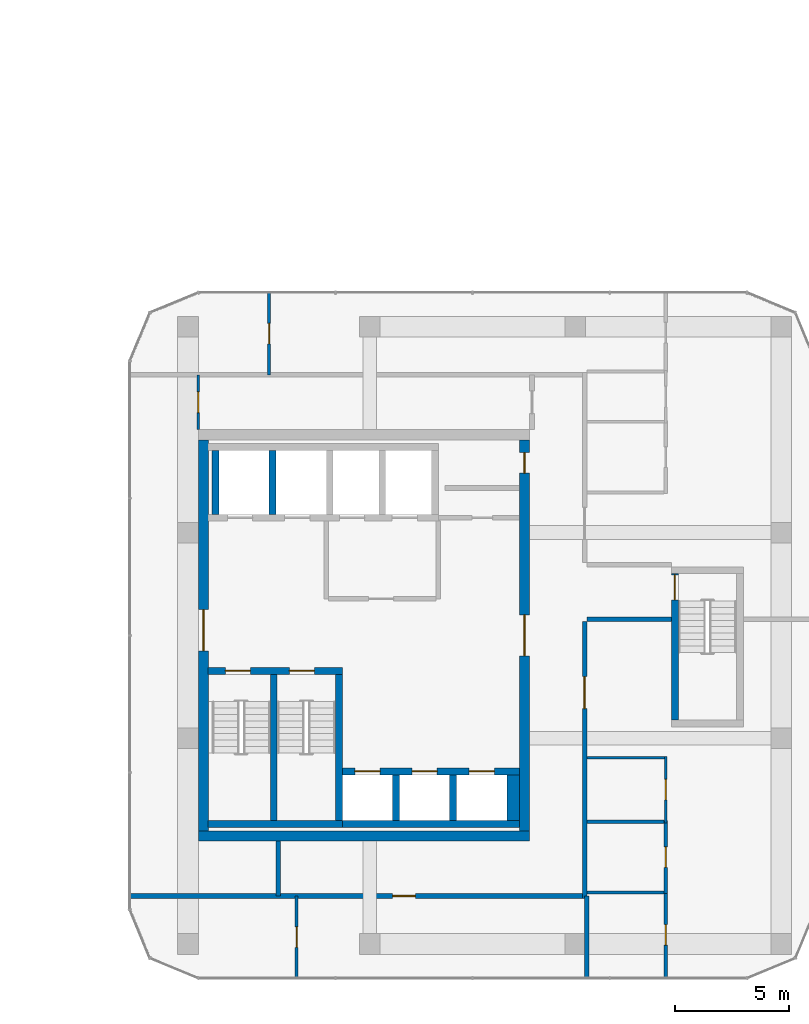
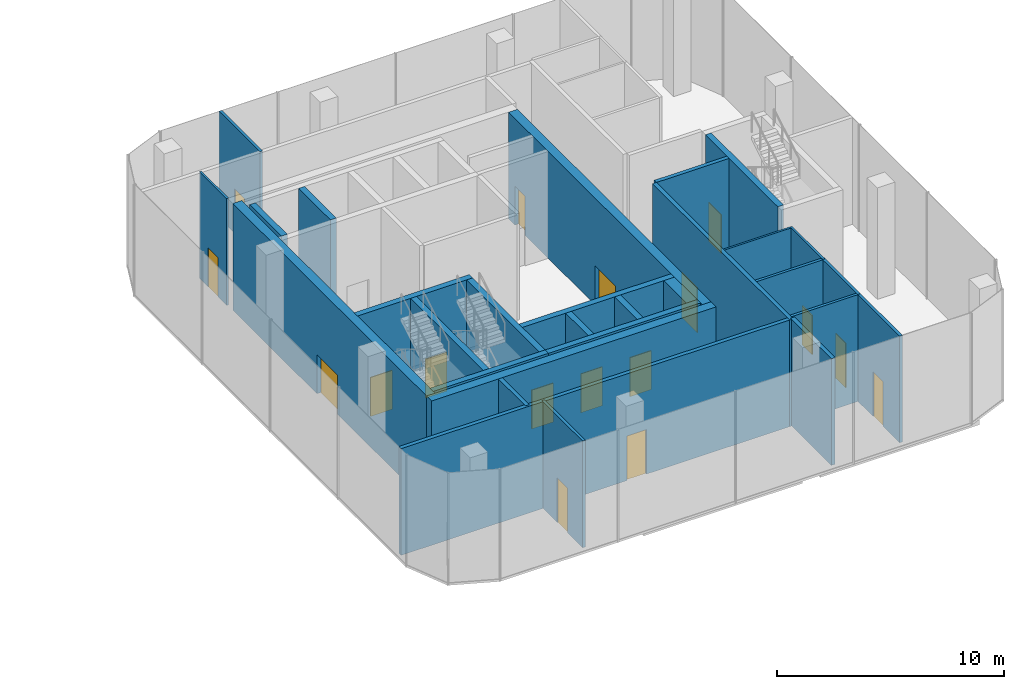
# One storey, part 17 of 24: 29 walls, 17 doors, 17 openings.
"""IFC4 building model written with IfcOpenShell, lengths in metres."""

from ifc_helpers import new_model, si_unit, direction, frame, frame_2d, origin, place, context, subcontext, project, spatial, rectangle, extrude, material, layer, layer_set, type_object, element, fill, save


model = new_model("IFC4")

# Units and contexts
model_context = context("Model", 3, precision=1e-05, world=origin(), true_north=direction((0.0, 1.0)))
body_context = subcontext(model_context, "Body", "Model", "MODEL_VIEW")
ifc_project = project(units=[si_unit("LENGTHUNIT", "METRE"), si_unit("AREAUNIT", "SQUARE_METRE"), si_unit("VOLUMEUNIT", "CUBIC_METRE"), si_unit("PLANEANGLEUNIT", "RADIAN"), si_unit("MASSUNIT", "GRAM", prefix="KILO")], contexts=[model_context])

# Site, building, storey
site_placement = place(None, origin())
site = spatial("IfcSite", under=ifc_project, at=site_placement, CompositionType="ELEMENT")
building_placement = place(site_placement, origin())
building = spatial("IfcBuilding", under=site, at=building_placement, Name="Plateau Cross Towers", CompositionType="ELEMENT")
storey_placement = place(building_placement, frame((0.0, 0.0, 72.300048828125)))
storey = spatial("IfcBuildingStorey", under=building, at=storey_placement, Name="L18", CompositionType="ELEMENT", Elevation=72.300048828125)

# Wall
ifc_material_1 = material(Name="Concrete C60/75", Category="concrete")
ifc_layer_1 = layer(ifc_material_1, 0.300048828125)
ifc_layer_set_1 = layer_set([ifc_layer_1], Name="Concrete C60/75")
wall_type_1 = type_object("IfcWallType", Name="Core shaft wall 300", PredefinedType="SHEAR", material=ifc_layer_set_1)
wall_1_placement = place(storey_placement, frame((75.429931640625, 0.75, 0.0), z_axis=(0.0, 0.0, 1.0), x_axis=(1.0, 0.0, 0.0)))
element("IfcWall", 1, at=wall_1_placement, inside=storey, type_object=wall_type_1, Name="B-sb-stS@L18", PredefinedType="SHEAR", context=body_context, shape_type="SweptSolid", body=[
    extrude(rectangle(XDim=5.8701171875, YDim=0.300048828125, at=frame_2d((2.93505859375, 0.0))), origin(), (0.0, 0.0, 1.0), 5.75),
])

# Wall, openings, doors
wall_2_placement = place(storey_placement, frame((75.429931640625, 7.449951171875, 0.0), z_axis=(0.0, 0.0, 1.0), x_axis=(1.0, 0.0, 0.0)))
wall_2 = element("IfcWall", 2, at=wall_2_placement, inside=storey, type_object=wall_type_1, Name="B-sb-stN@L18", PredefinedType="SHEAR", context=body_context, shape_type="SweptSolid", body=[
    extrude(rectangle(XDim=5.8701171875, YDim=0.300048828125, at=frame_2d((2.93505859375, 0.0))), origin(), (0.0, 0.0, 1.0), 5.75),
])
opening_1_placement = place(wall_2_placement, frame((0.75, 0.0, 0.0)))
opening_1 = element("IfcOpeningElement", 3, at=opening_1_placement, cuts=wall_2, Name="Opening SD", PredefinedType="OPENING", context=body_context, shape_type="SweptSolid", body=[
    extrude(rectangle(XDim=1.10009765625, YDim=2.10009765625, at=frame_2d((0.550048828125, 1.050048828125))), frame((0.0, 0.159912109375, 0.0), z_axis=(0.0, -1.0, 0.0), x_axis=(1.0, 0.0, 0.0)), (0.0, 0.0, 1.0), 0.320068359375),
])
opening_2_placement = place(wall_2_placement, frame((3.550048828125, 0.0, 0.0)))
opening_2 = element("IfcOpeningElement", 4, at=opening_2_placement, cuts=wall_2, Name="Opening SD", PredefinedType="OPENING", context=body_context, shape_type="SweptSolid", body=[
    extrude(rectangle(XDim=1.10009765625, YDim=2.10009765625, at=frame_2d((0.550048828125, 1.050048828125))), frame((0.0, 0.159912109375, 0.0), z_axis=(0.0, -1.0, 0.0), x_axis=(1.0, 0.0, 0.0)), (0.0, 0.0, 1.0), 0.320068359375),
])
ifc_material_2 = material(Name="Steel, fire-resisting leaf", Category="steel")
door_type_1 = type_object("IfcDoorType", Name="Stair door 1100", OperationType="NOTDEFINED", PredefinedType="DOOR", material=ifc_material_2)
door_1_placement = place(opening_1_placement, origin())
door_1 = element("IfcDoor", 5, at=door_1_placement, inside=storey, type_object=door_type_1, Name="Stair door SD", OperationType="SINGLE_SWING_RIGHT", OverallHeight=2.10009765625, OverallWidth=1.10009765625, PredefinedType="DOOR", context=body_context, shape_type="SweptSolid", body=[
    extrude(rectangle(XDim=1.10009765625, YDim=2.10009765625, at=frame_2d((0.550048828125, 1.050048828125))), frame((0.0, 0.02490234375, 0.0), z_axis=(0.0, -1.0, 0.0), x_axis=(1.0, 0.0, 0.0)), (0.0, 0.0, 1.0), 0.050048828125),
])
fill(opening_1, door_1)
door_2_placement = place(opening_2_placement, origin())
door_2 = element("IfcDoor", 6, at=door_2_placement, inside=storey, type_object=door_type_1, Name="Stair door SD", OperationType="SINGLE_SWING_LEFT", OverallHeight=2.10009765625, OverallWidth=1.10009765625, PredefinedType="DOOR", context=body_context, shape_type="SweptSolid", body=[
    extrude(rectangle(XDim=1.10009765625, YDim=2.10009765625, at=frame_2d((0.550048828125, 1.050048828125))), frame((0.0, 0.02490234375, 0.0), z_axis=(0.0, -1.0, 0.0), x_axis=(1.0, 0.0, 0.0)), (0.0, 0.0, 1.0), 0.050048828125),
])
fill(opening_2, door_2)

# Walls
for number, where, z_axis, x_axis, name in (
    (7, (78.300048828125, 0.89990234375, 0.0), (0.0, 0.0, 1.0), (0.0, 1.0, 0.0), "B-sb-st1@L18"),
    (8, (81.14990234375, 0.89990234375, 0.0), (0.0, 0.0, 1.0), (0.0, 1.0, 0.0), "B-sb-st2@L18"),
):
    element("IfcWall", number, at=place(storey_placement, frame(where, z_axis=z_axis, x_axis=x_axis)), inside=storey, type_object=wall_type_1, Name=name, PredefinedType="SHEAR", context=body_context, shape_type="SweptSolid", body=[
        extrude(rectangle(XDim=6.400146484375, YDim=0.300048828125, at=frame_2d((3.2001953125, 0.0))), origin(), (0.0, 0.0, 1.0), 5.75),
    ])
wall_3_placement = place(storey_placement, frame((81.300048828125, 0.75, 0.0), z_axis=(0.0, 0.0, 1.0), x_axis=(1.0, 0.0, 0.0)))
element("IfcWall", 9, at=wall_3_placement, inside=storey, type_object=wall_type_1, Name="B-sb-back@L18", PredefinedType="SHEAR", context=body_context, shape_type="SweptSolid", body=[
    extrude(rectangle(XDim=7.75, YDim=0.300048828125, at=frame_2d((3.875, 0.0))), origin(), (0.0, 0.0, 1.0), 5.75),
])
for number, where, z_axis, x_axis, name in (
    (10, (83.64990234375, 0.89990234375, 0.0), (0.0, 0.0, 1.0), (0.0, 1.0, 0.0), "B-sb-v1@L18"),
    (11, (86.14990234375, 0.89990234375, 0.0), (0.0, 0.0, 1.0), (0.0, 1.0, 0.0), "B-sb-v2@L18"),
):
    element("IfcWall", number, at=place(storey_placement, frame(where, z_axis=z_axis, x_axis=x_axis)), inside=storey, type_object=wall_type_1, Name=name, PredefinedType="SHEAR", context=body_context, shape_type="SweptSolid", body=[
        extrude(rectangle(XDim=2.0, YDim=0.300048828125, at=frame_2d((1.0, 0.0))), origin(), (0.0, 0.0, 1.0), 5.75),
    ])

# Wall, openings, doors
wall_4_placement = place(storey_placement, frame((81.300048828125, 3.050048828125, 0.0), z_axis=(0.0, 0.0, 1.0), x_axis=(1.0, 0.0, 0.0)))
wall_4 = element("IfcWall", 12, at=wall_4_placement, inside=storey, type_object=wall_type_1, Name="B-sb-front@L18", PredefinedType="SHEAR", context=body_context, shape_type="SweptSolid", body=[
    extrude(rectangle(XDim=7.75, YDim=0.300048828125, at=frame_2d((3.875, 0.0))), origin(), (0.0, 0.0, 1.0), 5.75),
])
opening_3_placement = place(wall_4_placement, frame((0.550048828125, 0.0, 0.0)))
opening_3 = element("IfcOpeningElement", 13, at=opening_3_placement, cuts=wall_4, Name="Opening LD", PredefinedType="OPENING", context=body_context, shape_type="SweptSolid", body=[
    extrude(rectangle(XDim=1.10009765625, YDim=2.10009765625, at=frame_2d((0.550048828125, 1.050048828125))), frame((0.0, 0.159912109375, 0.0), z_axis=(0.0, -1.0, 0.0), x_axis=(1.0, 0.0, 0.0)), (0.0, 0.0, 1.0), 0.320068359375),
])
opening_4_placement = place(wall_4_placement, frame((3.050048828125, 0.0, 0.0)))
opening_4 = element("IfcOpeningElement", 14, at=opening_4_placement, cuts=wall_4, Name="Opening LD", PredefinedType="OPENING", context=body_context, shape_type="SweptSolid", body=[
    extrude(rectangle(XDim=1.10009765625, YDim=2.10009765625, at=frame_2d((0.550048828125, 1.050048828125))), frame((0.0, 0.159912109375, 0.0), z_axis=(0.0, -1.0, 0.0), x_axis=(1.0, 0.0, 0.0)), (0.0, 0.0, 1.0), 0.320068359375),
])
opening_5_placement = place(wall_4_placement, frame((5.550048828125, 0.0, 0.0)))
opening_5 = element("IfcOpeningElement", 15, at=opening_5_placement, cuts=wall_4, Name="Opening LD", PredefinedType="OPENING", context=body_context, shape_type="SweptSolid", body=[
    extrude(rectangle(XDim=1.10009765625, YDim=2.10009765625, at=frame_2d((0.550048828125, 1.050048828125))), frame((0.0, 0.159912109375, 0.0), z_axis=(0.0, -1.0, 0.0), x_axis=(1.0, 0.0, 0.0)), (0.0, 0.0, 1.0), 0.320068359375),
])
ifc_material_3 = material(Name="Stainless steel, fire-resisting sliding leaves", Category="steel")
door_type_2 = type_object("IfcDoorType", Name="Lift landing door 1100", OperationType="NOTDEFINED", PredefinedType="DOOR", material=ifc_material_3)
door_3_placement = place(opening_3_placement, origin())
door_3 = element("IfcDoor", 16, at=door_3_placement, inside=storey, type_object=door_type_2, Name="Lift landing door LD", OperationType="DOUBLE_DOOR_SLIDING", OverallHeight=2.10009765625, OverallWidth=1.10009765625, PredefinedType="DOOR", context=body_context, shape_type="SweptSolid", body=[
    extrude(rectangle(XDim=1.10009765625, YDim=2.10009765625, at=frame_2d((0.550048828125, 1.050048828125))), frame((0.0, 0.02490234375, 0.0), z_axis=(0.0, -1.0, 0.0), x_axis=(1.0, 0.0, 0.0)), (0.0, 0.0, 1.0), 0.050048828125),
])
fill(opening_3, door_3)
door_4_placement = place(opening_4_placement, origin())
door_4 = element("IfcDoor", 17, at=door_4_placement, inside=storey, type_object=door_type_2, Name="Lift landing door LD", OperationType="DOUBLE_DOOR_SLIDING", OverallHeight=2.10009765625, OverallWidth=1.10009765625, PredefinedType="DOOR", context=body_context, shape_type="SweptSolid", body=[
    extrude(rectangle(XDim=1.10009765625, YDim=2.10009765625, at=frame_2d((0.550048828125, 1.050048828125))), frame((0.0, 0.02490234375, 0.0), z_axis=(0.0, -1.0, 0.0), x_axis=(1.0, 0.0, 0.0)), (0.0, 0.0, 1.0), 0.050048828125),
])
fill(opening_4, door_4)
door_5_placement = place(opening_5_placement, origin())
door_5 = element("IfcDoor", 18, at=door_5_placement, inside=storey, type_object=door_type_2, Name="Lift landing door LD", OperationType="DOUBLE_DOOR_SLIDING", OverallHeight=2.10009765625, OverallWidth=1.10009765625, PredefinedType="DOOR", context=body_context, shape_type="SweptSolid", body=[
    extrude(rectangle(XDim=1.10009765625, YDim=2.10009765625, at=frame_2d((0.550048828125, 1.050048828125))), frame((0.0, 0.02490234375, 0.0), z_axis=(0.0, -1.0, 0.0), x_axis=(1.0, 0.0, 0.0)), (0.0, 0.0, 1.0), 0.050048828125),
])
fill(opening_5, door_5)

# Walls
for number, where, z_axis, x_axis, name in (
    (19, (75.75, 14.300048828125, 0.0), (0.0, 0.0, 1.0), (0.0, 1.0, 0.0), "B-nb-v0@L18"),
    (20, (78.25, 14.300048828125, 0.0), (0.0, 0.0, 1.0), (0.0, 1.0, 0.0), "B-nb-v1@L18"),
):
    element("IfcWall", number, at=place(storey_placement, frame(where, z_axis=z_axis, x_axis=x_axis)), inside=storey, type_object=wall_type_1, Name=name, PredefinedType="SHEAR", context=body_context, shape_type="SweptSolid", body=[
        extrude(rectangle(XDim=2.800048828125, YDim=0.300048828125, at=frame_2d((1.39990234375, 0.0))), origin(), (0.0, 0.0, 1.0), 5.75),
    ])

# Wall, opening, door
wall_5_placement = place(storey_placement, frame((95.85009765625, 5.300048828125, 0.0), z_axis=(0.0, 0.0, 1.0), x_axis=(0.0, 1.0, 0.0)))
wall_5 = element("IfcWall", 21, at=wall_5_placement, inside=storey, type_object=wall_type_1, Name="B-sb3-W@L18", PredefinedType="SHEAR", context=body_context, shape_type="SweptSolid", body=[
    extrude(rectangle(XDim=6.39990234375, YDim=0.300048828125, at=frame_2d((3.199951171875, 0.0))), origin(), (0.0, 0.0, 1.0), 5.75),
])
opening_6_placement = place(wall_5_placement, frame((5.25, 0.0, 0.0)))
opening_6 = element("IfcOpeningElement", 22, at=opening_6_placement, cuts=wall_5, Name="Opening SD", PredefinedType="OPENING", context=body_context, shape_type="SweptSolid", body=[
    extrude(rectangle(XDim=1.10009765625, YDim=2.10009765625, at=frame_2d((0.550048828125, 1.050048828125))), frame((0.0, 0.159912109375, 0.0), z_axis=(0.0, -1.0, 0.0), x_axis=(1.0, 0.0, 0.0)), (0.0, 0.0, 1.0), 0.320068359375),
])
door_6_placement = place(opening_6_placement, origin())
door_6 = element("IfcDoor", 23, at=door_6_placement, inside=storey, type_object=door_type_1, Name="Stair door SD", OperationType="SINGLE_SWING_LEFT", OverallHeight=2.10009765625, OverallWidth=1.10009765625, PredefinedType="DOOR", context=body_context, shape_type="SweptSolid", body=[
    extrude(rectangle(XDim=1.10009765625, YDim=2.10009765625, at=frame_2d((0.550048828125, 1.050048828125))), frame((0.0, 0.02490234375, 0.0), z_axis=(0.0, -1.0, 0.0), x_axis=(1.0, 0.0, 0.0)), (0.0, 0.0, 1.0), 0.050048828125),
])
fill(opening_6, door_6)

# Walls
ifc_layer_2 = layer(ifc_material_1, 0.550048828125)
ifc_layer_set_2 = layer_set([ifc_layer_2], Name="Concrete C60/75")
wall_type_2 = type_object("IfcWallType", Name="Core shaft wall 550", PredefinedType="SHEAR", material=ifc_layer_set_2)
wall_6_placement = place(storey_placement, frame((88.77490234375, 0.89990234375, 0.0), z_axis=(0.0, 0.0, 1.0), x_axis=(0.0, 1.0, 0.0)))
element("IfcWall", 24, at=wall_6_placement, inside=storey, type_object=wall_type_2, Name="B-sb-v3@L18", PredefinedType="SHEAR", context=body_context, shape_type="SweptSolid", body=[
    extrude(rectangle(XDim=2.0, YDim=0.550048828125, at=frame_2d((1.0, 0.0))), origin(), (0.0, 0.0, 1.0), 5.75),
])
ifc_layer_3 = layer(ifc_material_1, 0.449951171875)
ifc_layer_set_3 = layer_set([ifc_layer_3], Name="Concrete C60/75")
wall_type_3 = type_object("IfcWallType", Name="Core shell wall 450", PredefinedType="SHEAR", material=ifc_layer_set_3)
wall_7_placement = place(storey_placement, frame((75.0, 0.22509765625, 0.0), z_axis=(0.0, 0.0, 1.0), x_axis=(1.0, 0.0, 0.0)))
element("IfcWall", 25, at=wall_7_placement, inside=storey, type_object=wall_type_3, Name="B-core-S@L18", PredefinedType="SHEAR", context=body_context, shape_type="SweptSolid", body=[
    extrude(rectangle(XDim=14.5, YDim=0.449951171875, at=frame_2d((7.25, 0.0))), origin(), (0.0, 0.0, 1.0), 5.75),
])

# Wall, opening, door
wall_8_placement = place(storey_placement, frame((75.22509765625, 0.449951171875, 0.0), z_axis=(0.0, 0.0, 1.0), x_axis=(0.0, 1.0, 0.0)))
wall_8 = element("IfcWall", 26, at=wall_8_placement, inside=storey, type_object=wall_type_3, Name="B-core-W@L18", PredefinedType="SHEAR", context=body_context, shape_type="SweptSolid", body=[
    extrude(rectangle(XDim=17.10009765625, YDim=0.449951171875, at=frame_2d((8.550048828125, 0.0))), origin(), (0.0, 0.0, 1.0), 5.75),
])
opening_7_placement = place(wall_8_placement, frame((7.875, 0.0, 0.0)))
opening_7 = element("IfcOpeningElement", 27, at=opening_7_placement, cuts=wall_8, Name="Opening CD", PredefinedType="OPENING", context=body_context, shape_type="SweptSolid", body=[
    extrude(rectangle(XDim=1.800048828125, YDim=2.10009765625, at=frame_2d((0.89990234375, 1.050048828125))), frame((0.0, 0.23486328125, 0.0), z_axis=(0.0, -1.0, 0.0), x_axis=(1.0, 0.0, 0.0)), (0.0, 0.0, 1.0), 0.469970703125),
])
ifc_material_4 = material(Name="Steel, fire-resisting leaves", Category="steel")
door_type_3 = type_object("IfcDoorType", Name="Corridor door pair 1800", OperationType="NOTDEFINED", PredefinedType="DOOR", material=ifc_material_4)
door_7_placement = place(opening_7_placement, origin())
door_7 = element("IfcDoor", 28, at=door_7_placement, inside=storey, type_object=door_type_3, Name="Corridor door pair CD", OperationType="DOUBLE_DOOR_SINGLE_SWING", OverallHeight=2.10009765625, OverallWidth=1.800048828125, PredefinedType="DOOR", context=body_context, shape_type="SweptSolid", body=[
    extrude(rectangle(XDim=1.800048828125, YDim=2.10009765625, at=frame_2d((0.89990234375, 1.050048828125))), frame((0.0, 0.02490234375, 0.0), z_axis=(0.0, -1.0, 0.0), x_axis=(1.0, 0.0, 0.0)), (0.0, 0.0, 1.0), 0.050048828125),
])
fill(opening_7, door_7)

# Wall, openings, doors
wall_9_placement = place(storey_placement, frame((89.27490234375, 0.449951171875, 0.0), z_axis=(0.0, 0.0, 1.0), x_axis=(0.0, 1.0, 0.0)))
wall_9 = element("IfcWall", 29, at=wall_9_placement, inside=storey, type_object=wall_type_3, Name="B-core-E@L18", PredefinedType="SHEAR", context=body_context, shape_type="SweptSolid", body=[
    extrude(rectangle(XDim=17.10009765625, YDim=0.449951171875, at=frame_2d((8.550048828125, 0.0))), origin(), (0.0, 0.0, 1.0), 5.75),
])
opening_8_placement = place(wall_9_placement, frame((7.64990234375, 0.0, 0.0)))
opening_8 = element("IfcOpeningElement", 30, at=opening_8_placement, cuts=wall_9, Name="Opening CD", PredefinedType="OPENING", context=body_context, shape_type="SweptSolid", body=[
    extrude(rectangle(XDim=1.800048828125, YDim=2.10009765625, at=frame_2d((0.89990234375, 1.050048828125))), frame((0.0, 0.23486328125, 0.0), z_axis=(0.0, -1.0, 0.0), x_axis=(1.0, 0.0, 0.0)), (0.0, 0.0, 1.0), 0.469970703125),
])
opening_9_placement = place(wall_9_placement, frame((15.64990234375, 0.0, 0.0)))
opening_9 = element("IfcOpeningElement", 31, at=opening_9_placement, cuts=wall_9, Name="Opening RD2", PredefinedType="OPENING", context=body_context, shape_type="SweptSolid", body=[
    extrude(rectangle(XDim=0.89990234375, YDim=2.10009765625, at=frame_2d((0.449951171875, 1.050048828125))), frame((0.0, 0.23486328125, 0.0), z_axis=(0.0, -1.0, 0.0), x_axis=(1.0, 0.0, 0.0)), (0.0, 0.0, 1.0), 0.469970703125),
])
door_type_4 = type_object("IfcDoorType", Name="Core riser door 900", OperationType="NOTDEFINED", PredefinedType="DOOR", material=ifc_material_2)
door_8_placement = place(opening_9_placement, origin())
door_8 = element("IfcDoor", 32, at=door_8_placement, inside=storey, type_object=door_type_4, Name="Core riser door RD2", OperationType="SINGLE_SWING_LEFT", OverallHeight=2.10009765625, OverallWidth=0.89990234375, PredefinedType="DOOR", context=body_context, shape_type="SweptSolid", body=[
    extrude(rectangle(XDim=0.89990234375, YDim=2.10009765625, at=frame_2d((0.449951171875, 1.050048828125))), frame((0.0, 0.02490234375, 0.0), z_axis=(0.0, -1.0, 0.0), x_axis=(1.0, 0.0, 0.0)), (0.0, 0.0, 1.0), 0.050048828125),
])
fill(opening_9, door_8)
door_9_placement = place(opening_8_placement, origin())
door_9 = element("IfcDoor", 33, at=door_9_placement, inside=storey, type_object=door_type_3, Name="Corridor door pair CD", OperationType="DOUBLE_DOOR_SINGLE_SWING", OverallHeight=2.10009765625, OverallWidth=1.800048828125, PredefinedType="DOOR", context=body_context, shape_type="SweptSolid", body=[
    extrude(rectangle(XDim=1.800048828125, YDim=2.10009765625, at=frame_2d((0.89990234375, 1.050048828125))), frame((0.0, 0.02490234375, 0.0), z_axis=(0.0, -1.0, 0.0), x_axis=(1.0, 0.0, 0.0)), (0.0, 0.0, 1.0), 0.050048828125),
])
fill(opening_8, door_9)

# Wall, opening, door
ifc_material_5 = material(Name="Gypsum board on steel studs, two layers each side", Category="steel")
ifc_layer_4 = layer(ifc_material_5, 0.199951171875)
ifc_layer_set_4 = layer_set([ifc_layer_4], Name="Gypsum board on steel studs, two layers each side")
wall_type_4 = type_object("IfcWallType", Name="Corridor wall 200", PredefinedType="PARTITIONING", material=ifc_layer_set_4)
wall_10_placement = place(storey_placement, frame((72.0, -2.39990234375, 0.0), z_axis=(0.0, 0.0, 1.0), x_axis=(1.0, 0.0, 0.0)))
wall_10 = element("IfcWall", 34, at=wall_10_placement, inside=storey, type_object=wall_type_4, Name="Ring wall", PredefinedType="PARTITIONING", context=body_context, shape_type="SweptSolid", body=[
    extrude(rectangle(XDim=20.0, YDim=0.199951171875, at=frame_2d((10.0, 0.0))), origin(), (0.0, 0.0, 1.0), 5.75),
])
opening_10_placement = place(wall_10_placement, frame((11.5, 0.0, 0.0)))
opening_10 = element("IfcOpeningElement", 35, at=opening_10_placement, cuts=wall_10, Name="Opening D-BO10", PredefinedType="OPENING", context=body_context, shape_type="SweptSolid", body=[
    extrude(rectangle(XDim=1.0, YDim=2.39990234375, at=frame_2d((0.5, 1.199951171875))), frame((0.0, 0.10986328125, 0.0), z_axis=(0.0, -1.0, 0.0), x_axis=(1.0, 0.0, 0.0)), (0.0, 0.0, 1.0), 0.219970703125),
])
ifc_material_6 = material(Name="Fire-resisting glazed leaf in a steel frame", Category="steel")
door_type_5 = type_object("IfcDoorType", Name="Office glazed entrance leaf 1000x2400", OperationType="NOTDEFINED", PredefinedType="DOOR", material=ifc_material_6)
door_10_placement = place(opening_10_placement, origin())
door_10 = element("IfcDoor", 36, at=door_10_placement, inside=storey, type_object=door_type_5, Name="Door D-BO10", OperationType="SINGLE_SWING_LEFT", OverallHeight=2.39990234375, OverallWidth=1.0, PredefinedType="DOOR", context=body_context, shape_type="SweptSolid", body=[
    extrude(rectangle(XDim=1.0, YDim=2.39990234375, at=frame_2d((0.5, 1.199951171875))), frame((0.0, 0.02490234375, 0.0), z_axis=(0.0, -1.0, 0.0), x_axis=(1.0, 0.0, 0.0)), (0.0, 0.0, 1.0), 0.050048828125),
])
fill(opening_10, door_10)

wall_11_placement = place(storey_placement, frame((91.89990234375, -2.5, 0.0), z_axis=(0.0, 0.0, 1.0), x_axis=(0.0, 1.0, 0.0)))
wall_11 = element("IfcWall", 37, at=wall_11_placement, inside=storey, type_object=wall_type_4, Name="Ring wall", PredefinedType="PARTITIONING", context=body_context, shape_type="SweptSolid", body=[
    extrude(rectangle(XDim=12.10009765625, YDim=0.199951171875, at=frame_2d((6.050048828125, 0.0))), origin(), (0.0, 0.0, 1.0), 5.75),
])
opening_11_placement = place(wall_11_placement, frame((8.300048828125, 0.0, 0.0)))
opening_11 = element("IfcOpeningElement", 38, at=opening_11_placement, cuts=wall_11, Name="Opening D-BE14", PredefinedType="OPENING", context=body_context, shape_type="SweptSolid", body=[
    extrude(rectangle(XDim=1.39990234375, YDim=2.39990234375, at=frame_2d((0.699951171875, 1.199951171875))), frame((0.0, 0.10986328125, 0.0), z_axis=(0.0, -1.0, 0.0), x_axis=(1.0, 0.0, 0.0)), (0.0, 0.0, 1.0), 0.219970703125),
])
ifc_material_7 = material(Name="Timber, fire-resisting leaves", Category="wood")
door_type_6 = type_object("IfcDoorType", Name="Tenant entrance double-leaf 1400x2400", OperationType="NOTDEFINED", PredefinedType="DOOR", material=ifc_material_7)
door_11_placement = place(opening_11_placement, origin())
door_11 = element("IfcDoor", 39, at=door_11_placement, inside=storey, type_object=door_type_6, Name="Door D-BE14", OperationType="DOUBLE_DOOR_SINGLE_SWING", OverallHeight=2.39990234375, OverallWidth=1.39990234375, PredefinedType="DOOR", context=body_context, shape_type="SweptSolid", body=[
    extrude(rectangle(XDim=1.39990234375, YDim=2.39990234375, at=frame_2d((0.699951171875, 1.199951171875))), frame((0.0, 0.02490234375, 0.0), z_axis=(0.0, -1.0, 0.0), x_axis=(1.0, 0.0, 0.0)), (0.0, 0.0, 1.0), 0.050048828125),
])
fill(opening_11, door_11)

# Walls
wall_12_placement = place(storey_placement, frame((92.0, 9.699951171875, 0.0), z_axis=(0.0, 0.0, 1.0), x_axis=(1.0, 0.0, 0.0)))
element("IfcWall", 40, at=wall_12_placement, inside=storey, type_object=wall_type_4, Name="Ring wall", PredefinedType="PARTITIONING", context=body_context, shape_type="SweptSolid", body=[
    extrude(rectangle(XDim=3.699951171875, YDim=0.199951171875, at=frame_2d((1.85009765625, 0.0))), origin(), (0.0, 0.0, 1.0), 5.75),
])
wall_13_placement = place(storey_placement, frame((78.5, -2.39990234375, 0.0), z_axis=(0.0, 0.0, 1.0), x_axis=(0.0, 1.0, 0.0)))
element("IfcWall", 41, at=wall_13_placement, inside=storey, type_object=wall_type_4, Name="Ring wall", PredefinedType="PARTITIONING", context=body_context, shape_type="SweptSolid", body=[
    extrude(rectangle(XDim=2.39990234375, YDim=0.199951171875, at=frame_2d((1.199951171875, 0.0))), origin(), (0.0, 0.0, 1.0), 5.75),
])

# Wall, opening, door
ifc_material_8 = material(Name="Gypsum board on staggered steel studs, mineral wool, two layers each side", Category="steel")
ifc_layer_5 = layer(ifc_material_8, 0.139892578125)
ifc_layer_set_5 = layer_set([ifc_layer_5], Name="Gypsum board on staggered steel studs, mineral wool, two layers each side")
wall_type_5 = type_object("IfcWallType", Name="Meeting room acoustic partition 140", PredefinedType="PARTITIONING", material=ifc_layer_set_5)
wall_14_placement = place(storey_placement, frame((79.300048828125, -6.0, 0.0), z_axis=(0.0, 0.0, 1.0), x_axis=(0.0, 1.0, 0.0)))
wall_14 = element("IfcWall", 42, at=wall_14_placement, inside=storey, type_object=wall_type_5, Name="Acoustic wall", PredefinedType="PARTITIONING", context=body_context, shape_type="SweptSolid", body=[
    extrude(rectangle(XDim=3.60009765625, YDim=0.139892578125, at=frame_2d((1.800048828125, 0.0))), origin(), (0.0, 0.0, 1.0), 5.75),
])
opening_12_placement = place(wall_14_placement, frame((1.35009765625, 0.0, 0.0)))
opening_12 = element("IfcOpeningElement", 43, at=opening_12_placement, cuts=wall_14, Name="Opening D-BM9", PredefinedType="OPENING", context=body_context, shape_type="SweptSolid", body=[
    extrude(rectangle(XDim=0.89990234375, YDim=2.39990234375, at=frame_2d((0.449951171875, 1.199951171875))), frame((0.0, 0.079833984375, 0.0), z_axis=(0.0, -1.0, 0.0), x_axis=(1.0, 0.0, 0.0)), (0.0, 0.0, 1.0), 0.159912109375),
])
ifc_material_9 = material(Name="Timber leaf, full height", Category="wood")
door_type_7 = type_object("IfcDoorType", Name="Meeting room door 900x2400", OperationType="NOTDEFINED", PredefinedType="DOOR", material=ifc_material_9)
door_12_placement = place(opening_12_placement, origin())
door_12 = element("IfcDoor", 44, at=door_12_placement, inside=storey, type_object=door_type_7, Name="Door D-BM9", OperationType="SINGLE_SWING_LEFT", OverallHeight=2.39990234375, OverallWidth=0.89990234375, PredefinedType="DOOR", context=body_context, shape_type="SweptSolid", body=[
    extrude(rectangle(XDim=0.89990234375, YDim=2.39990234375, at=frame_2d((0.449951171875, 1.199951171875))), frame((0.0, 0.02490234375, 0.0), z_axis=(0.0, -1.0, 0.0), x_axis=(1.0, 0.0, 0.0)), (0.0, 0.0, 1.0), 0.050048828125),
])
fill(opening_12, door_12)

wall_15_placement = place(storey_placement, frame((95.449951171875, -6.0, 0.0), z_axis=(0.0, 0.0, 1.0), x_axis=(0.0, 1.0, 0.0)))
wall_15 = element("IfcWall", 45, at=wall_15_placement, inside=storey, type_object=wall_type_5, Name="Acoustic wall", PredefinedType="PARTITIONING", context=body_context, shape_type="SweptSolid", body=[
    extrude(rectangle(XDim=3.800048828125, YDim=0.139892578125, at=frame_2d((1.89990234375, 0.0))), origin(), (0.0, 0.0, 1.0), 5.75),
])
opening_13_placement = place(wall_15_placement, frame((1.449951171875, 0.0, 0.0)))
opening_13 = element("IfcOpeningElement", 46, at=opening_13_placement, cuts=wall_15, Name="Opening D-BM9", PredefinedType="OPENING", context=body_context, shape_type="SweptSolid", body=[
    extrude(rectangle(XDim=0.89990234375, YDim=2.39990234375, at=frame_2d((0.449951171875, 1.199951171875))), frame((0.0, 0.079833984375, 0.0), z_axis=(0.0, -1.0, 0.0), x_axis=(1.0, 0.0, 0.0)), (0.0, 0.0, 1.0), 0.159912109375),
])
door_13_placement = place(opening_13_placement, origin())
door_13 = element("IfcDoor", 47, at=door_13_placement, inside=storey, type_object=door_type_7, Name="Door D-BM9", OperationType="SINGLE_SWING_LEFT", OverallHeight=2.39990234375, OverallWidth=0.89990234375, PredefinedType="DOOR", context=body_context, shape_type="SweptSolid", body=[
    extrude(rectangle(XDim=0.89990234375, YDim=2.39990234375, at=frame_2d((0.449951171875, 1.199951171875))), frame((0.0, 0.02490234375, 0.0), z_axis=(0.0, -1.0, 0.0), x_axis=(1.0, 0.0, 0.0)), (0.0, 0.0, 1.0), 0.050048828125),
])
fill(opening_13, door_13)

# Wall
wall_16_placement = place(storey_placement, frame((92.0, -2.25, 0.0), z_axis=(0.0, 0.0, 1.0), x_axis=(1.0, 0.0, 0.0)))
element("IfcWall", 48, at=wall_16_placement, inside=storey, type_object=wall_type_5, Name="Acoustic wall", PredefinedType="PARTITIONING", context=body_context, shape_type="SweptSolid", body=[
    extrude(rectangle(XDim=3.3798828125, YDim=0.139892578125, at=frame_2d((1.68994140625, 0.0))), origin(), (0.0, 0.0, 1.0), 5.75),
])

# Wall, opening, door
wall_17_placement = place(storey_placement, frame((95.449951171875, -2.300048828125, 0.0), z_axis=(0.0, 0.0, 1.0), x_axis=(0.0, 1.0, 0.0)))
wall_17 = element("IfcWall", 49, at=wall_17_placement, inside=storey, type_object=wall_type_5, Name="Acoustic wall", PredefinedType="PARTITIONING", context=body_context, shape_type="SweptSolid", body=[
    extrude(rectangle(XDim=3.199951171875, YDim=0.139892578125, at=frame_2d((1.60009765625, 0.0))), origin(), (0.0, 0.0, 1.0), 5.75),
])
opening_14_placement = place(wall_17_placement, frame((1.14990234375, 0.0, 0.0)))
opening_14 = element("IfcOpeningElement", 50, at=opening_14_placement, cuts=wall_17, Name="Opening D-BM9", PredefinedType="OPENING", context=body_context, shape_type="SweptSolid", body=[
    extrude(rectangle(XDim=0.89990234375, YDim=2.39990234375, at=frame_2d((0.449951171875, 1.199951171875))), frame((0.0, 0.079833984375, 0.0), z_axis=(0.0, -1.0, 0.0), x_axis=(1.0, 0.0, 0.0)), (0.0, 0.0, 1.0), 0.159912109375),
])
door_14_placement = place(opening_14_placement, origin())
door_14 = element("IfcDoor", 51, at=door_14_placement, inside=storey, type_object=door_type_7, Name="Door D-BM9", OperationType="SINGLE_SWING_LEFT", OverallHeight=2.39990234375, OverallWidth=0.89990234375, PredefinedType="DOOR", context=body_context, shape_type="SweptSolid", body=[
    extrude(rectangle(XDim=0.89990234375, YDim=2.39990234375, at=frame_2d((0.449951171875, 1.199951171875))), frame((0.0, 0.02490234375, 0.0), z_axis=(0.0, -1.0, 0.0), x_axis=(1.0, 0.0, 0.0)), (0.0, 0.0, 1.0), 0.050048828125),
])
fill(opening_14, door_14)

# Wall
wall_18_placement = place(storey_placement, frame((92.0, 0.85009765625, 0.0), z_axis=(0.0, 0.0, 1.0), x_axis=(1.0, 0.0, 0.0)))
element("IfcWall", 52, at=wall_18_placement, inside=storey, type_object=wall_type_5, Name="Acoustic wall", PredefinedType="PARTITIONING", context=body_context, shape_type="SweptSolid", body=[
    extrude(rectangle(XDim=3.3798828125, YDim=0.139892578125, at=frame_2d((1.68994140625, 0.0))), origin(), (0.0, 0.0, 1.0), 5.75),
])

# Wall, opening, door
wall_19_placement = place(storey_placement, frame((78.10009765625, 20.39990234375, 0.0), z_axis=(0.0, 0.0, 1.0), x_axis=(0.0, 1.0, 0.0)))
wall_19 = element("IfcWall", 53, at=wall_19_placement, inside=storey, type_object=wall_type_5, Name="Acoustic wall", PredefinedType="PARTITIONING", context=body_context, shape_type="SweptSolid", body=[
    extrude(rectangle(XDim=3.60009765625, YDim=0.139892578125, at=frame_2d((1.800048828125, 0.0))), origin(), (0.0, 0.0, 1.0), 5.75),
])
opening_15_placement = place(wall_19_placement, frame((1.35009765625, 0.0, 0.0)))
opening_15 = element("IfcOpeningElement", 54, at=opening_15_placement, cuts=wall_19, Name="Opening D-BM9", PredefinedType="OPENING", context=body_context, shape_type="SweptSolid", body=[
    extrude(rectangle(XDim=0.89990234375, YDim=2.39990234375, at=frame_2d((0.449951171875, 1.199951171875))), frame((0.0, 0.079833984375, 0.0), z_axis=(0.0, -1.0, 0.0), x_axis=(1.0, 0.0, 0.0)), (0.0, 0.0, 1.0), 0.159912109375),
])
door_15_placement = place(opening_15_placement, origin())
door_15 = element("IfcDoor", 55, at=door_15_placement, inside=storey, type_object=door_type_7, Name="Door D-BM9", OperationType="SINGLE_SWING_LEFT", OverallHeight=2.39990234375, OverallWidth=0.89990234375, PredefinedType="DOOR", context=body_context, shape_type="SweptSolid", body=[
    extrude(rectangle(XDim=0.89990234375, YDim=2.39990234375, at=frame_2d((0.449951171875, 1.199951171875))), frame((0.0, 0.02490234375, 0.0), z_axis=(0.0, -1.0, 0.0), x_axis=(1.0, 0.0, 0.0)), (0.0, 0.0, 1.0), 0.050048828125),
])
fill(opening_15, door_15)

ifc_material_10 = material(Name="Gypsum board on steel studs", Category="steel")
ifc_layer_6 = layer(ifc_material_10, 0.10009765625)
ifc_layer_set_6 = layer_set([ifc_layer_6], Name="Gypsum board on steel studs")
wall_type_6 = type_object("IfcWallType", Name="Office partition 100", PredefinedType="PARTITIONING", material=ifc_layer_set_6)
wall_20_placement = place(storey_placement, frame((75.0, 18.0, 0.0), z_axis=(0.0, 0.0, 1.0), x_axis=(0.0, 1.0, 0.0)))
wall_20 = element("IfcWall", 56, at=wall_20_placement, inside=storey, type_object=wall_type_6, Name="Part wall", PredefinedType="PARTITIONING", context=body_context, shape_type="SweptSolid", body=[
    extrude(rectangle(XDim=2.39990234375, YDim=0.10009765625, at=frame_2d((1.199951171875, 0.0))), origin(), (0.0, 0.0, 1.0), 5.75),
])
opening_16_placement = place(wall_20_placement, frame((0.75, 0.0, 0.0)))
opening_16 = element("IfcOpeningElement", 57, at=opening_16_placement, cuts=wall_20, Name="Opening D-BR9", PredefinedType="OPENING", context=body_context, shape_type="SweptSolid", body=[
    extrude(rectangle(XDim=0.89990234375, YDim=2.10009765625, at=frame_2d((0.449951171875, 1.050048828125))), frame((0.0, 0.06005859375, 0.0), z_axis=(0.0, -1.0, 0.0), x_axis=(1.0, 0.0, 0.0)), (0.0, 0.0, 1.0), 0.1201171875),
])
ifc_material_11 = material(Name="Timber leaf", Category="wood")
door_type_8 = type_object("IfcDoorType", Name="Office room door 900", OperationType="NOTDEFINED", PredefinedType="DOOR", material=ifc_material_11)
door_16_placement = place(opening_16_placement, origin())
door_16 = element("IfcDoor", 58, at=door_16_placement, inside=storey, type_object=door_type_8, Name="Door D-BR9", OperationType="SINGLE_SWING_LEFT", OverallHeight=2.10009765625, OverallWidth=0.89990234375, PredefinedType="DOOR", context=body_context, shape_type="SweptSolid", body=[
    extrude(rectangle(XDim=0.89990234375, YDim=2.10009765625, at=frame_2d((0.449951171875, 1.050048828125))), frame((0.0, 0.02490234375, 0.0), z_axis=(0.0, -1.0, 0.0), x_axis=(1.0, 0.0, 0.0)), (0.0, 0.0, 1.0), 0.050048828125),
])
fill(opening_16, door_16)

wall_21_placement = place(storey_placement, frame((95.449951171875, 0.800048828125, 0.0), z_axis=(0.0, 0.0, 1.0), x_axis=(0.0, 1.0, 0.0)))
wall_21 = element("IfcWall", 59, at=wall_21_placement, inside=storey, type_object=wall_type_6, Name="Part wall", PredefinedType="PARTITIONING", context=body_context, shape_type="SweptSolid", body=[
    extrude(rectangle(XDim=2.89990234375, YDim=0.10009765625, at=frame_2d((1.449951171875, 0.0))), origin(), (0.0, 0.0, 1.0), 5.75),
])
opening_17_placement = place(wall_21_placement, frame((1.0, 0.0, 0.0)))
opening_17 = element("IfcOpeningElement", 60, at=opening_17_placement, cuts=wall_21, Name="Opening D-BR9", PredefinedType="OPENING", context=body_context, shape_type="SweptSolid", body=[
    extrude(rectangle(XDim=0.89990234375, YDim=2.10009765625, at=frame_2d((0.449951171875, 1.050048828125))), frame((0.0, 0.06005859375, 0.0), z_axis=(0.0, -1.0, 0.0), x_axis=(1.0, 0.0, 0.0)), (0.0, 0.0, 1.0), 0.1201171875),
])
door_17_placement = place(opening_17_placement, origin())
door_17 = element("IfcDoor", 61, at=door_17_placement, inside=storey, type_object=door_type_8, Name="Door D-BR9", OperationType="SINGLE_SWING_LEFT", OverallHeight=2.10009765625, OverallWidth=0.89990234375, PredefinedType="DOOR", context=body_context, shape_type="SweptSolid", body=[
    extrude(rectangle(XDim=0.89990234375, YDim=2.10009765625, at=frame_2d((0.449951171875, 1.050048828125))), frame((0.0, 0.02490234375, 0.0), z_axis=(0.0, -1.0, 0.0), x_axis=(1.0, 0.0, 0.0)), (0.0, 0.0, 1.0), 0.050048828125),
])
fill(opening_17, door_17)

# Walls
wall_22_placement = place(storey_placement, frame((92.0, 3.64990234375, 0.0), z_axis=(0.0, 0.0, 1.0), x_axis=(1.0, 0.0, 0.0)))
element("IfcWall", 62, at=wall_22_placement, inside=storey, type_object=wall_type_6, Name="Part wall", PredefinedType="PARTITIONING", context=body_context, shape_type="SweptSolid", body=[
    extrude(rectangle(XDim=3.39990234375, YDim=0.10009765625, at=frame_2d((1.699951171875, 0.0))), origin(), (0.0, 0.0, 1.0), 5.75),
])
ifc_layer_7 = layer(ifc_material_5, 0.199951171875)
ifc_layer_set_7 = layer_set([ifc_layer_7], Name="Gypsum board on steel studs, two layers each side")
wall_type_7 = type_object("IfcWallType", Name="Tenancy demising wall 200", PredefinedType="PARTITIONING", material=ifc_layer_set_7)
wall_23_placement = place(storey_placement, frame((92.0, -6.0, 0.0), z_axis=(0.0, 0.0, 1.0), x_axis=(0.0, 1.0, 0.0)))
element("IfcWall", 63, at=wall_23_placement, inside=storey, type_object=wall_type_7, Name="Demising wall", PredefinedType="PARTITIONING", context=body_context, shape_type="SweptSolid", body=[
    extrude(rectangle(XDim=3.60009765625, YDim=0.199951171875, at=frame_2d((1.800048828125, 0.0))), origin(), (0.0, 0.0, 1.0), 5.75),
])

save(model, "model.ifc")
